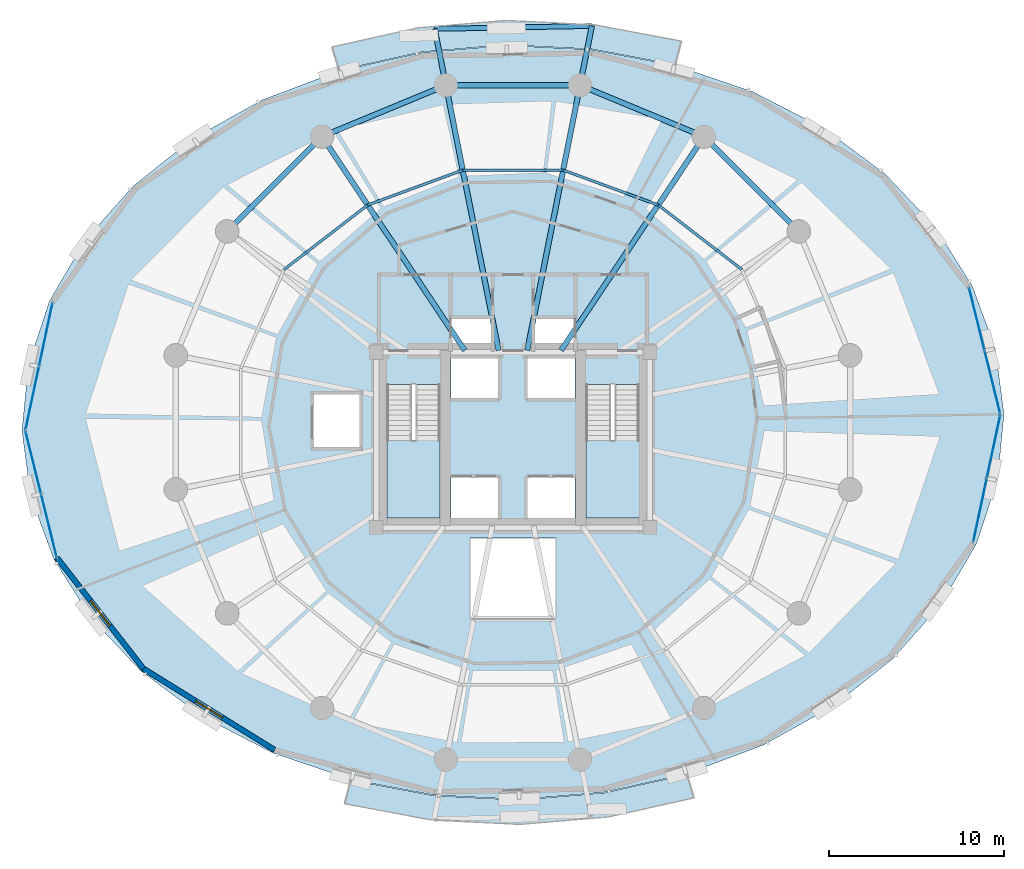
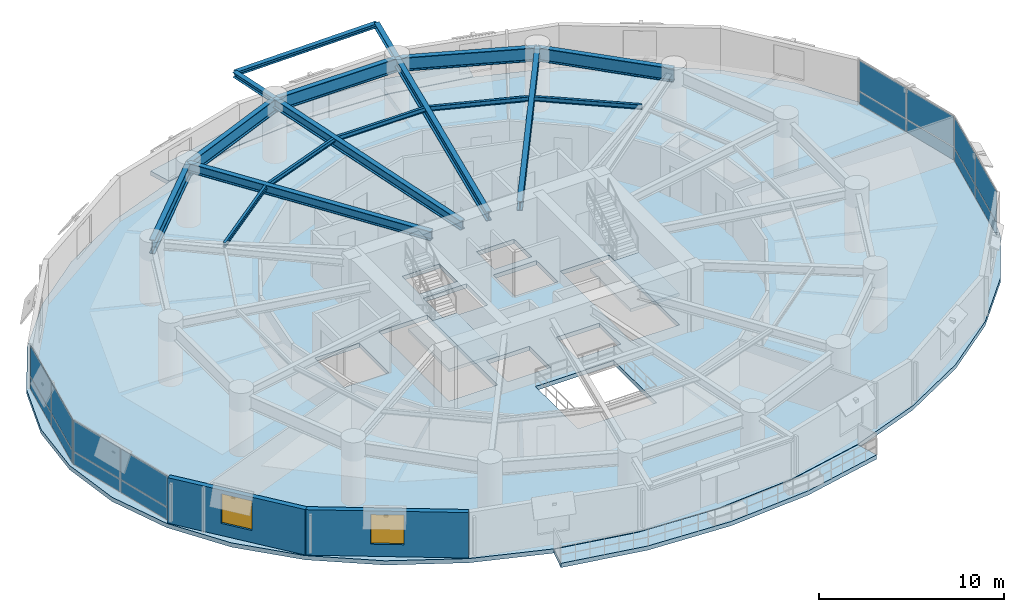
# One storey, part 11 of 17: 17 beams, 16 plates, 5 slabs, 2 walls, 2 windows, 2 openings, 6 elements without a shape of their own.
"""IFC4 building model written with IfcOpenShell, lengths in metres."""

from ifc_helpers import new_model, si_unit, direction, frame, frame_2d, origin, origin_2d, place, context, subcontext, project, spatial, polyline, rectangle, i_section, outline, extrude, material, layer, layer_set, material_profile, profile_set, type_object, element, fill, aggregate, save


model = new_model("IFC4")

# Units and contexts
model_context = context("Model", 3, precision=1e-05, world=origin(), true_north=direction((0.0, 1.0)))
body_context = subcontext(model_context, "Body", "Model", "MODEL_VIEW")
ifc_project = project(units=[si_unit("LENGTHUNIT", "METRE"), si_unit("AREAUNIT", "SQUARE_METRE"), si_unit("VOLUMEUNIT", "CUBIC_METRE"), si_unit("PLANEANGLEUNIT", "RADIAN"), si_unit("MASSUNIT", "GRAM", prefix="KILO"), si_unit("THERMODYNAMICTEMPERATUREUNIT", "KELVIN"), si_unit("POWERUNIT", "WATT")], contexts=[model_context])

# Site, building, storey
site_placement = place(None, origin())
site = spatial("IfcSite", under=ifc_project, at=site_placement, CompositionType="ELEMENT")
building_placement = place(site_placement, origin())
building = spatial("IfcBuilding", under=site, at=building_placement, Name="Ocrelia Relay Tower", CompositionType="ELEMENT")
storey_placement = place(building_placement, frame((0.0, 0.0, 34.199951171875)))
storey = spatial("IfcBuildingStorey", under=building, at=storey_placement, Name="L07", CompositionType="ELEMENT", Elevation=34.199951171875)

# Beams
ifc_material_1 = material(Name="Steel S355", Category="steel")
ifc_material_profile_1 = material_profile(ifc_material_1, i_section(OverallWidth=0.280029296875, OverallDepth=0.27001953125, WebThickness=0.008056640625, FlangeThickness=0.012939453125, FilletRadius=0.02392578125, at=origin_2d()), Name="HEA 280")
ifc_profile_set_1 = profile_set([ifc_material_profile_1], Name="Steel S355")
beam_type_1 = type_object("IfcBeamType", Name="BM-HEA280", PredefinedType="BEAM", material=ifc_profile_set_1)
beam_1_placement = place(storey_placement, frame((38.496337890625, 48.60400390625, 3.78515625), z_axis=(-0.999828370784, -0.018526439919, 0.0), x_axis=(0.018526439919, -0.999828370784, 0.0)))
element("IfcBeam", 1, at=beam_1_placement, inside=storey, type_object=beam_type_1, Name="L08 Balcony Edge Trimmer Beam B1", PredefinedType="BEAM", context=body_context, shape_type="SweptSolid", body=[
    extrude(i_section(OverallWidth=0.280029296875, OverallDepth=0.27001953125, WebThickness=0.008056640625, FlangeThickness=0.012939453125, FilletRadius=0.02392578125, at=origin_2d()), origin(), (0.0, 0.0, 1.0), 8.9609375),
])
ifc_material_profile_2 = material_profile(ifc_material_1, i_section(OverallWidth=0.300048828125, OverallDepth=0.330078125, WebThickness=0.009521484375, FlangeThickness=0.0166015625, FilletRadius=0.027099609375, at=origin_2d()), Name="HEA 340")
ifc_profile_set_2 = profile_set([ifc_material_profile_2], Name="Steel S355")
beam_type_2 = type_object("IfcBeamType", Name="BM-HEA340", PredefinedType="BEAM", material=ifc_profile_set_2)
beam_2_placement = place(storey_placement, frame((37.82373046875, 45.223388671875, 3.755126953125), z_axis=(0.195135320657, 0.980776328544, 0.0), x_axis=(-0.980776328544, 0.195135320657, 0.0)))
element("IfcBeam", 2, at=beam_2_placement, inside=storey, type_object=beam_type_2, Name="L08 Balcony Cantilever Beam B1-1", PredefinedType="BEAM", context=body_context, shape_type="SweptSolid", body=[
    extrude(i_section(OverallWidth=0.300048828125, OverallDepth=0.330078125, WebThickness=0.009521484375, FlangeThickness=0.0166015625, FilletRadius=0.027099609375, at=origin_2d()), origin(), (0.0, 0.0, 1.0), 3.44677734375),
])
beam_3_placement = place(storey_placement, frame((30.17626953125, 45.223388671875, 3.755126953125), z_axis=(-0.195084651288, 0.980786408364, 0.0), x_axis=(-0.980786408364, -0.195084651288, 0.0)))
element("IfcBeam", 3, at=beam_3_placement, inside=storey, type_object=beam_type_2, Name="L08 Balcony Cantilever Beam B1-2", PredefinedType="BEAM", context=body_context, shape_type="SweptSolid", body=[
    extrude(i_section(OverallWidth=0.300048828125, OverallDepth=0.330078125, WebThickness=0.009521484375, FlangeThickness=0.0166015625, FilletRadius=0.027099609375, at=origin_2d()), origin(), (0.0, 0.0, 1.0), 3.277587890625),
])
ifc_material_profile_3 = material_profile(ifc_material_1, i_section(OverallWidth=0.300048828125, OverallDepth=0.60009765625, WebThickness=0.015380859375, FlangeThickness=0.030029296875, FilletRadius=0.027099609375, at=origin_2d()), Name="HEB 600")
ifc_profile_set_3 = profile_set([ifc_material_profile_3], Name="Steel S355")
beam_type_3 = type_object("IfcBeamType", Name="BM-HEB600", PredefinedType="BEAM", material=ifc_profile_set_3)
beam_4_placement = place(storey_placement, frame((44.88916015625, 42.296875, 3.6201171875), z_axis=(-0.555564422059, -0.831473495033, 0.0), x_axis=(0.831473495033, -0.555564422059, 0.0)))
element("IfcBeam", 4, at=beam_4_placement, inside=storey, type_object=beam_type_3, Name="L07 Radial Floor Girder R03", PredefinedType="BEAM", context=body_context, shape_type="SweptSolid", body=[
    extrude(i_section(OverallWidth=0.300048828125, OverallDepth=0.60009765625, WebThickness=0.015380859375, FlangeThickness=0.030029296875, FilletRadius=0.027099609375, at=origin_2d()), origin(), (0.0, 0.0, 1.0), 14.6630859375),
])
for number, where, z_axis, x_axis, name in (
    (5, (37.82373046875, 45.223388671875, 3.6201171875), (-0.19509567956, -0.980784214706, 0.0), (0.980784214706, -0.19509567956, 0.0), "L07 Radial Floor Girder R04"),
    (6, (30.17626953125, 45.223388671875, 3.6201171875), (0.19509567956, -0.980784214706, 0.0), (0.980784214706, 0.19509567956, 0.0), "L07 Radial Floor Girder R05"),
):
    element("IfcBeam", number, at=place(storey_placement, frame(where, z_axis=z_axis, x_axis=x_axis)), inside=storey, type_object=beam_type_3, Name=name, PredefinedType="BEAM", context=body_context, shape_type="SweptSolid", body=[
        extrude(i_section(OverallWidth=0.300048828125, OverallDepth=0.60009765625, WebThickness=0.015380859375, FlangeThickness=0.030029296875, FilletRadius=0.027099609375, at=origin_2d()), origin(), (0.0, 0.0, 1.0), 15.41455078125),
    ])
beam_5_placement = place(storey_placement, frame((23.11083984375, 42.296875, 3.6201171875), z_axis=(0.555564422059, -0.831473495033, 0.0), x_axis=(0.831473495033, 0.555564422059, 0.0)))
element("IfcBeam", 7, at=beam_5_placement, inside=storey, type_object=beam_type_3, Name="L07 Radial Floor Girder R06", PredefinedType="BEAM", context=body_context, shape_type="SweptSolid", body=[
    extrude(i_section(OverallWidth=0.300048828125, OverallDepth=0.60009765625, WebThickness=0.015380859375, FlangeThickness=0.030029296875, FilletRadius=0.027099609375, at=origin_2d()), origin(), (0.0, 0.0, 1.0), 14.6630859375),
])
ifc_material_profile_4 = material_profile(ifc_material_1, i_section(OverallWidth=0.300048828125, OverallDepth=0.89990234375, WebThickness=0.0185546875, FlangeThickness=0.034912109375, FilletRadius=0.030029296875, at=origin_2d()), Name="HEB 900")
ifc_profile_set_4 = profile_set([ifc_material_profile_4], Name="Steel S355")
beam_type_4 = type_object("IfcBeamType", Name="BM-HEB900", PredefinedType="BEAM", material=ifc_profile_set_4)
beam_6_placement = place(storey_placement, frame((50.296875, 36.88916015625, 3.469970703125), z_axis=(-0.707106781187, 0.707106781187, 0.0), x_axis=(-0.707106781187, -0.707106781187, 0.0)))
element("IfcBeam", 8, at=beam_6_placement, inside=storey, type_object=beam_type_4, Name="L07 Perimeter Spandrel Beam S02", PredefinedType="BEAM", context=body_context, shape_type="SweptSolid", body=[
    extrude(i_section(OverallWidth=0.300048828125, OverallDepth=0.89990234375, WebThickness=0.0185546875, FlangeThickness=0.034912109375, FilletRadius=0.030029296875, at=origin_2d()), origin(), (0.0, 0.0, 1.0), 7.647705078125),
])
for number, where, z_axis, x_axis, name in (
    (9, (44.88916015625, 42.296875, 3.469970703125), (-0.923883375589, 0.382674154222, 0.0), (-0.382674154222, -0.923883375589, 0.0), "L07 Perimeter Spandrel Beam S03"),
    (10, (37.82373046875, 45.223388671875, 3.469970703125), (-1.0, 0.0, 0.0), (0.0, -1.0, 0.0), "L07 Perimeter Spandrel Beam S04"),
    (11, (30.17626953125, 45.223388671875, 3.469970703125), (-0.923883375589, -0.382674154222, 0.0), (0.382674154222, -0.923883375589, 0.0), "L07 Perimeter Spandrel Beam S05"),
):
    element("IfcBeam", number, at=place(storey_placement, frame(where, z_axis=z_axis, x_axis=x_axis)), inside=storey, type_object=beam_type_4, Name=name, PredefinedType="BEAM", context=body_context, shape_type="SweptSolid", body=[
        extrude(i_section(OverallWidth=0.300048828125, OverallDepth=0.89990234375, WebThickness=0.0185546875, FlangeThickness=0.034912109375, FilletRadius=0.030029296875, at=origin_2d()), origin(), (0.0, 0.0, 1.0), 7.6474609375),
    ])
beam_7_placement = place(storey_placement, frame((23.11083984375, 42.296875, 3.469970703125), z_axis=(-0.707106781187, -0.707106781187, 0.0), x_axis=(0.707106781187, -0.707106781187, 0.0)))
element("IfcBeam", 12, at=beam_7_placement, inside=storey, type_object=beam_type_4, Name="L07 Perimeter Spandrel Beam S06", PredefinedType="BEAM", context=body_context, shape_type="SweptSolid", body=[
    extrude(i_section(OverallWidth=0.300048828125, OverallDepth=0.89990234375, WebThickness=0.0185546875, FlangeThickness=0.034912109375, FilletRadius=0.030029296875, at=origin_2d()), origin(), (0.0, 0.0, 1.0), 7.647705078125),
])
ifc_material_profile_5 = material_profile(ifc_material_1, i_section(OverallWidth=0.14990234375, OverallDepth=0.300048828125, WebThickness=0.007080078125, FlangeThickness=0.0107421875, FilletRadius=0.014892578125, at=origin_2d()), Name="IPE 300")
ifc_profile_set_5 = profile_set([ifc_material_profile_5], Name="Steel S355")
beam_type_5 = type_object("IfcBeamType", Name="BM-IPE300", PredefinedType="JOIST", material=ifc_profile_set_5)
beam_8_placement = place(storey_placement, frame((47.0478515625, 34.71826171875, 3.77001953125), z_axis=(-0.791694256239, 0.610917510502, 0.0), x_axis=(-0.610917510502, -0.791694256239, 0.0)))
element("IfcBeam", 13, at=beam_8_placement, inside=storey, type_object=beam_type_5, Name="L07 Secondary Floor Joist J02", PredefinedType="JOIST", context=body_context, shape_type="SweptSolid", body=[
    extrude(i_section(OverallWidth=0.14990234375, OverallDepth=0.300048828125, WebThickness=0.007080078125, FlangeThickness=0.0107421875, FilletRadius=0.014892578125, at=origin_2d()), origin(), (0.0, 0.0, 1.0), 6.019287109375),
])
beam_9_placement = place(storey_placement, frame((42.282470703125, 38.3955078125, 3.77001953125), z_axis=(-0.938745977034, 0.344609910773, 0.0), x_axis=(-0.344609910773, -0.938745977034, 0.0)))
element("IfcBeam", 14, at=beam_9_placement, inside=storey, type_object=beam_type_5, Name="L07 Secondary Floor Joist J03", PredefinedType="JOIST", context=body_context, shape_type="SweptSolid", body=[
    extrude(i_section(OverallWidth=0.14990234375, OverallDepth=0.300048828125, WebThickness=0.007080078125, FlangeThickness=0.0107421875, FilletRadius=0.014892578125, at=origin_2d()), origin(), (0.0, 0.0, 1.0), 5.774658203125),
])
beam_10_placement = place(storey_placement, frame((36.861572265625, 40.385498046875, 3.77001953125), z_axis=(-1.0, 0.0, 0.0), x_axis=(0.0, -1.0, 0.0)))
element("IfcBeam", 15, at=beam_10_placement, inside=storey, type_object=beam_type_5, Name="L07 Secondary Floor Joist J04", PredefinedType="JOIST", context=body_context, shape_type="SweptSolid", body=[
    extrude(i_section(OverallWidth=0.14990234375, OverallDepth=0.300048828125, WebThickness=0.007080078125, FlangeThickness=0.0107421875, FilletRadius=0.014892578125, at=origin_2d()), origin(), (0.0, 0.0, 1.0), 5.72314453125),
])
beam_11_placement = place(storey_placement, frame((31.138427734375, 40.385498046875, 3.77001953125), z_axis=(-0.938745977034, -0.344609910773, 0.0), x_axis=(0.344609910773, -0.938745977034, 0.0)))
element("IfcBeam", 16, at=beam_11_placement, inside=storey, type_object=beam_type_5, Name="L07 Secondary Floor Joist J05", PredefinedType="JOIST", context=body_context, shape_type="SweptSolid", body=[
    extrude(i_section(OverallWidth=0.14990234375, OverallDepth=0.300048828125, WebThickness=0.007080078125, FlangeThickness=0.0107421875, FilletRadius=0.014892578125, at=origin_2d()), origin(), (0.0, 0.0, 1.0), 5.774658203125),
])
beam_12_placement = place(storey_placement, frame((25.717529296875, 38.3955078125, 3.77001953125), z_axis=(-0.791694256239, -0.610917510502, 0.0), x_axis=(0.610917510502, -0.791694256239, 0.0)))
element("IfcBeam", 17, at=beam_12_placement, inside=storey, type_object=beam_type_5, Name="L07 Secondary Floor Joist J06", PredefinedType="JOIST", context=body_context, shape_type="SweptSolid", body=[
    extrude(i_section(OverallWidth=0.14990234375, OverallDepth=0.300048828125, WebThickness=0.007080078125, FlangeThickness=0.0107421875, FilletRadius=0.014892578125, at=origin_2d()), origin(), (0.0, 0.0, 1.0), 6.019287109375),
])

# Curtain wall, plates
ifc_material_2 = material(Name="Aluminium and solar-control low-E glass", Category="aluminium")
ifc_layer_1 = layer(ifc_material_2, 0.179931640625, Name="Aluminium and solar-control low-E glass")
ifc_layer_set_1 = layer_set([ifc_layer_1], Name="Aluminium and solar-control low-E glass")
curtain_wall_type = type_object("IfcCurtainWallType", Name="CW-SYS-Z1-DATA", PredefinedType="NOTDEFINED", material=ifc_layer_set_1)
curtain_wall_1_placement = place(storey_placement, origin())
curtain_wall_1 = element("IfcCurtainWall", 18, at=curtain_wall_1_placement, inside=storey, type_object=curtain_wall_type, Name="L07 Elliptical Tower Curtain Wall Bay 01", PredefinedType="NOTDEFINED")
ifc_material_3 = material(Name="Clear double-glazed low-E glass", Category="glass")
ifc_layer_2 = layer(ifc_material_3, 0.031982421875, Name="Clear double-glazed low-E glass")
ifc_layer_set_2 = layer_set([ifc_layer_2], Name="Clear double-glazed low-E glass")
plate_type = type_object("IfcPlateType", Name="CW-SYS-Z1-DATA-PNL", PredefinedType="CURTAIN_PANEL", material=ifc_layer_set_2)
plate_1_placement = place(storey_placement, frame((61.3427734375, 28.2919921875, 0.06494140625), z_axis=(0.0, 0.0, 1.0), x_axis=(-0.240397865841, 0.970674438779, 0.0)))
plate_1 = element("IfcPlate", 19, at=plate_1_placement, type_object=plate_type, Name="CW-Z1 panel 1.1", PredefinedType="CURTAIN_PANEL", context=body_context, shape_type="SweptSolid", body=[
    extrude(rectangle(XDim=3.6328125, YDim=0.031982421875, at=origin_2d()), origin(), (0.0, 0.0, 1.0), 0.802490234375),
])
plate_2_placement = place(storey_placement, frame((61.3427734375, 28.2919921875, 0.9326171875), z_axis=(0.0, 0.0, 1.0), x_axis=(-0.240397865841, 0.970674438779, 0.0)))
plate_2 = element("IfcPlate", 20, at=plate_2_placement, type_object=plate_type, Name="CW-Z1 panel 1.2", PredefinedType="CURTAIN_PANEL", context=body_context, shape_type="SweptSolid", body=[
    extrude(rectangle(XDim=3.6328125, YDim=0.031982421875, at=origin_2d()), origin(), (0.0, 0.0, 1.0), 2.00244140625),
])
plate_3_placement = place(storey_placement, frame((60.45263671875, 31.88623046875, 0.06494140625), z_axis=(0.0, 0.0, 1.0), x_axis=(-0.240397865841, 0.970674438779, 0.0)))
plate_3 = element("IfcPlate", 21, at=plate_3_placement, type_object=plate_type, Name="CW-Z1 panel 2.1", PredefinedType="CURTAIN_PANEL", context=body_context, shape_type="SweptSolid", body=[
    extrude(rectangle(XDim=3.6328125, YDim=0.031982421875, at=origin_2d()), origin(), (0.0, 0.0, 1.0), 0.802490234375),
])
plate_4_placement = place(storey_placement, frame((60.45263671875, 31.88623046875, 0.9326171875), z_axis=(0.0, 0.0, 1.0), x_axis=(-0.240397865841, 0.970674438779, 0.0)))
plate_4 = element("IfcPlate", 22, at=plate_4_placement, type_object=plate_type, Name="CW-Z1 panel 2.2", PredefinedType="CURTAIN_PANEL", context=body_context, shape_type="SweptSolid", body=[
    extrude(rectangle(XDim=3.6328125, YDim=0.031982421875, at=origin_2d()), origin(), (0.0, 0.0, 1.0), 2.00244140625),
])
aggregate(curtain_wall_1, [plate_1, plate_2, plate_3, plate_4])

curtain_wall_2_placement = place(storey_placement, origin())
curtain_wall_2 = element("IfcCurtainWall", 23, at=curtain_wall_2_placement, inside=storey, type_object=curtain_wall_type, Name="L07 Elliptical Tower Curtain Wall Bay 09", PredefinedType="NOTDEFINED")
plate_5_placement = place(storey_placement, frame((7.366943359375, 31.005859375, 0.06494140625), z_axis=(0.0, 0.0, 1.0), x_axis=(-0.208094574378, -0.978108709763, 0.0)))
plate_5 = element("IfcPlate", 24, at=plate_5_placement, type_object=plate_type, Name="CW-Z1 panel 1.1", PredefinedType="CURTAIN_PANEL", context=body_context, shape_type="SweptSolid", body=[
    extrude(rectangle(XDim=3.6328125, YDim=0.031982421875, at=origin_2d()), origin(), (0.0, 0.0, 1.0), 0.802490234375),
])
plate_6_placement = place(storey_placement, frame((7.366943359375, 31.005859375, 0.9326171875), z_axis=(0.0, 0.0, 1.0), x_axis=(-0.208094574378, -0.978108709763, 0.0)))
plate_6 = element("IfcPlate", 25, at=plate_6_placement, type_object=plate_type, Name="CW-Z1 panel 1.2", PredefinedType="CURTAIN_PANEL", context=body_context, shape_type="SweptSolid", body=[
    extrude(rectangle(XDim=3.6328125, YDim=0.031982421875, at=origin_2d()), origin(), (0.0, 0.0, 1.0), 2.00244140625),
])
plate_7_placement = place(storey_placement, frame((6.596435546875, 27.38427734375, 0.06494140625), z_axis=(0.0, 0.0, 1.0), x_axis=(-0.208094574378, -0.978108709763, 0.0)))
plate_7 = element("IfcPlate", 26, at=plate_7_placement, type_object=plate_type, Name="CW-Z1 panel 2.1", PredefinedType="CURTAIN_PANEL", context=body_context, shape_type="SweptSolid", body=[
    extrude(rectangle(XDim=3.6328125, YDim=0.031982421875, at=origin_2d()), origin(), (0.0, 0.0, 1.0), 0.802490234375),
])
plate_8_placement = place(storey_placement, frame((6.596435546875, 27.38427734375, 0.9326171875), z_axis=(0.0, 0.0, 1.0), x_axis=(-0.208094574378, -0.978108709763, 0.0)))
plate_8 = element("IfcPlate", 27, at=plate_8_placement, type_object=plate_type, Name="CW-Z1 panel 2.2", PredefinedType="CURTAIN_PANEL", context=body_context, shape_type="SweptSolid", body=[
    extrude(rectangle(XDim=3.6328125, YDim=0.031982421875, at=origin_2d()), origin(), (0.0, 0.0, 1.0), 2.00244140625),
])
aggregate(curtain_wall_2, [plate_5, plate_6, plate_7, plate_8])

curtain_wall_3_placement = place(storey_placement, origin())
curtain_wall_3 = element("IfcCurtainWall", 28, at=curtain_wall_3_placement, inside=storey, type_object=curtain_wall_type, Name="L07 Elliptical Tower Curtain Wall Bay 10", PredefinedType="NOTDEFINED")
plate_9_placement = place(storey_placement, frame((6.6572265625, 23.7080078125, 0.06494140625), z_axis=(0.0, 0.0, 1.0), x_axis=(0.240397865841, -0.970674438779, 0.0)))
plate_9 = element("IfcPlate", 29, at=plate_9_placement, type_object=plate_type, Name="CW-Z1 panel 1.1", PredefinedType="CURTAIN_PANEL", context=body_context, shape_type="SweptSolid", body=[
    extrude(rectangle(XDim=3.6328125, YDim=0.031982421875, at=origin_2d()), origin(), (0.0, 0.0, 1.0), 0.802490234375),
])
plate_10_placement = place(storey_placement, frame((6.6572265625, 23.7080078125, 0.9326171875), z_axis=(0.0, 0.0, 1.0), x_axis=(0.240397865841, -0.970674438779, 0.0)))
plate_10 = element("IfcPlate", 30, at=plate_10_placement, type_object=plate_type, Name="CW-Z1 panel 1.2", PredefinedType="CURTAIN_PANEL", context=body_context, shape_type="SweptSolid", body=[
    extrude(rectangle(XDim=3.6328125, YDim=0.031982421875, at=origin_2d()), origin(), (0.0, 0.0, 1.0), 2.00244140625),
])
plate_11_placement = place(storey_placement, frame((7.54736328125, 20.11376953125, 0.06494140625), z_axis=(0.0, 0.0, 1.0), x_axis=(0.240397865841, -0.970674438779, 0.0)))
plate_11 = element("IfcPlate", 31, at=plate_11_placement, type_object=plate_type, Name="CW-Z1 panel 2.1", PredefinedType="CURTAIN_PANEL", context=body_context, shape_type="SweptSolid", body=[
    extrude(rectangle(XDim=3.6328125, YDim=0.031982421875, at=origin_2d()), origin(), (0.0, 0.0, 1.0), 0.802490234375),
])
plate_12_placement = place(storey_placement, frame((7.54736328125, 20.11376953125, 0.9326171875), z_axis=(0.0, 0.0, 1.0), x_axis=(0.240397865841, -0.970674438779, 0.0)))
plate_12 = element("IfcPlate", 32, at=plate_12_placement, type_object=plate_type, Name="CW-Z1 panel 2.2", PredefinedType="CURTAIN_PANEL", context=body_context, shape_type="SweptSolid", body=[
    extrude(rectangle(XDim=3.6328125, YDim=0.031982421875, at=origin_2d()), origin(), (0.0, 0.0, 1.0), 2.00244140625),
])
aggregate(curtain_wall_3, [plate_9, plate_10, plate_11, plate_12])

curtain_wall_4_placement = place(storey_placement, origin())
curtain_wall_4 = element("IfcCurtainWall", 33, at=curtain_wall_4_placement, inside=storey, type_object=curtain_wall_type, Name="L07 Elliptical Tower Curtain Wall Bay 18", PredefinedType="NOTDEFINED")
plate_13_placement = place(storey_placement, frame((60.633056640625, 20.994140625, 0.06494140625), z_axis=(0.0, 0.0, 1.0), x_axis=(0.208094574378, 0.978108709763, 0.0)))
plate_13 = element("IfcPlate", 34, at=plate_13_placement, type_object=plate_type, Name="CW-Z1 panel 1.1", PredefinedType="CURTAIN_PANEL", context=body_context, shape_type="SweptSolid", body=[
    extrude(rectangle(XDim=3.6328125, YDim=0.031982421875, at=origin_2d()), origin(), (0.0, 0.0, 1.0), 0.802490234375),
])
plate_14_placement = place(storey_placement, frame((60.633056640625, 20.994140625, 0.9326171875), z_axis=(0.0, 0.0, 1.0), x_axis=(0.208094574378, 0.978108709763, 0.0)))
plate_14 = element("IfcPlate", 35, at=plate_14_placement, type_object=plate_type, Name="CW-Z1 panel 1.2", PredefinedType="CURTAIN_PANEL", context=body_context, shape_type="SweptSolid", body=[
    extrude(rectangle(XDim=3.6328125, YDim=0.031982421875, at=origin_2d()), origin(), (0.0, 0.0, 1.0), 2.00244140625),
])
plate_15_placement = place(storey_placement, frame((61.403564453125, 24.61572265625, 0.06494140625), z_axis=(0.0, 0.0, 1.0), x_axis=(0.208094574378, 0.978108709763, 0.0)))
plate_15 = element("IfcPlate", 36, at=plate_15_placement, type_object=plate_type, Name="CW-Z1 panel 2.1", PredefinedType="CURTAIN_PANEL", context=body_context, shape_type="SweptSolid", body=[
    extrude(rectangle(XDim=3.6328125, YDim=0.031982421875, at=origin_2d()), origin(), (0.0, 0.0, 1.0), 0.802490234375),
])
plate_16_placement = place(storey_placement, frame((61.403564453125, 24.61572265625, 0.9326171875), z_axis=(0.0, 0.0, 1.0), x_axis=(0.208094574378, 0.978108709763, 0.0)))
plate_16 = element("IfcPlate", 37, at=plate_16_placement, type_object=plate_type, Name="CW-Z1 panel 2.2", PredefinedType="CURTAIN_PANEL", context=body_context, shape_type="SweptSolid", body=[
    extrude(rectangle(XDim=3.6328125, YDim=0.031982421875, at=origin_2d()), origin(), (0.0, 0.0, 1.0), 2.00244140625),
])
aggregate(curtain_wall_4, [plate_13, plate_14, plate_15, plate_16])

# Slabs
ifc_material_4 = material(Name="Precast concrete C40/50", Category="concrete")
ifc_layer_3 = layer(ifc_material_4, 0.280029296875, Name="Precast concrete C40/50")
ifc_layer_set_3 = layer_set([ifc_layer_3], Name="Precast concrete C40/50")
slab_type_1 = type_object("IfcSlabType", Name="SL-BALC-280", PredefinedType="FLOOR", material=ifc_layer_set_3)
slab_1_placement = place(storey_placement, frame((0.0, 0.0, -0.280029296875)))
element("IfcSlab", 38, at=slab_1_placement, inside=storey, type_object=slab_type_1, Name="L07 Planted Loggia Balcony B1", PredefinedType="FLOOR", context=body_context, shape_type="SweptSolid", body=[
    extrude(outline(polyline([(43.247802734375, 46.388427734375), (40.880859375, 46.834716796875), (38.513916015625, 47.281005859375), (33.64306640625, 47.527099609375), (28.782958984375, 47.119384765625), (26.43212890625, 46.59521484375), (24.081298828125, 46.070556640625), (23.682861328125, 47.406005859375), (26.127685546875, 47.951416015625), (28.572509765625, 48.496826171875), (33.619873046875, 48.919921875), (38.678466796875, 48.664306640625), (41.14013671875, 48.200439453125), (43.601806640625, 47.736328125), (43.247802734375, 46.388427734375)])), origin(), (0.0, 0.0, 1.0), 0.280029296875),
])
slab_2_placement = place(storey_placement, frame((0.0, 0.0, -0.280029296875)))
element("IfcSlab", 39, at=slab_2_placement, inside=storey, type_object=slab_type_1, Name="L07 Planted Loggia Balcony B2", PredefinedType="FLOOR", context=body_context, shape_type="SweptSolid", body=[
    extrude(outline(polyline([(24.752197265625, 5.611572265625), (27.119140625, 5.165283203125), (29.486083984375, 4.718994140625), (34.35693359375, 4.472900390625), (39.217041015625, 4.880615234375), (41.56787109375, 5.40478515625), (43.918701171875, 5.929443359375), (44.317138671875, 4.593994140625), (41.872314453125, 4.048583984375), (39.427490234375, 3.503173828125), (34.380126953125, 3.080078125), (29.321533203125, 3.335693359375), (26.85986328125, 3.799560546875), (24.398193359375, 4.263671875), (24.752197265625, 5.611572265625)])), origin(), (0.0, 0.0, 1.0), 0.280029296875),
])
ifc_material_5 = material(Name="Concrete C50/60", Category="concrete")
ifc_layer_4 = layer(ifc_material_5, 0.280029296875, Name="Concrete C50/60")
ifc_layer_set_4 = layer_set([ifc_layer_4], Name="Concrete C50/60")
slab_type_2 = type_object("IfcSlabType", Name="SL-FLR-280", PredefinedType="FLOOR", material=ifc_layer_set_4)
slab_3_placement = place(storey_placement, frame((0.0, 0.0, -0.280029296875)))
element("IfcSlab", 40, at=slab_3_placement, inside=storey, type_object=slab_type_2, Name="L07 Elliptical Tower Floor Slab", PredefinedType="FLOOR", context=body_context, shape_type="SweptSolid", body=[
    extrude(outline(polyline([(61.99609375, 26.464111328125), (61.5087890625, 30.190185546875), (60.185791015625, 33.788818359375), (58.067138671875, 37.150634765625), (55.21728515625, 40.173583984375), (51.722412109375, 42.76611328125), (47.689453125, 44.84912109375), (43.240234375, 46.359375), (38.510498046875, 47.251220703125), (33.6435546875, 47.4970703125), (28.78759765625, 47.08984375), (24.08984375, 46.041748046875), (19.693115234375, 44.385009765625), (15.7314453125, 42.169189453125), (12.32470703125, 39.46240234375), (9.576416015625, 36.346435546875), (7.5703125, 32.916259765625), (6.3671875, 29.275634765625), (6.00390625, 25.535888671875), (6.4912109375, 21.809814453125), (7.814208984375, 18.211181640625), (9.932861328125, 14.849365234375), (12.78271484375, 11.826416015625), (16.277587890625, 9.23388671875), (20.310546875, 7.15087890625), (24.759765625, 5.640625), (29.489501953125, 4.748779296875), (34.3564453125, 4.5029296875), (39.21240234375, 4.91015625), (43.91015625, 5.958251953125), (48.306884765625, 7.614990234375), (52.2685546875, 9.830810546875), (55.67529296875, 12.53759765625), (58.423583984375, 15.653564453125), (60.4296875, 19.083740234375), (61.6328125, 22.724365234375), (61.99609375, 26.464111328125)]), holes=[polyline([(26.81005859375, 28.14990234375), (26.81005859375, 20.550048828125), (29.85009765625, 20.550048828125), (29.85009765625, 28.14990234375), (26.81005859375, 28.14990234375)]), polyline([(38.159912109375, 28.14990234375), (38.159912109375, 20.550048828125), (41.199951171875, 20.550048828125), (41.199951171875, 28.14990234375), (38.159912109375, 28.14990234375)]), polyline([(30.4599609375, 20.550048828125), (33.159912109375, 20.550048828125), (33.159912109375, 22.85009765625), (30.4599609375, 22.85009765625), (30.4599609375, 20.550048828125)]), polyline([(34.840087890625, 20.550048828125), (37.5400390625, 20.550048828125), (37.5400390625, 22.85009765625), (34.840087890625, 22.85009765625), (34.840087890625, 20.550048828125)]), polyline([(30.4599609375, 27.35009765625), (33.159912109375, 27.35009765625), (33.159912109375, 29.64990234375), (30.4599609375, 29.64990234375), (30.4599609375, 27.35009765625)]), polyline([(34.840087890625, 27.35009765625), (37.5400390625, 27.35009765625), (37.5400390625, 29.64990234375), (34.840087890625, 29.64990234375), (34.840087890625, 27.35009765625)]), polyline([(30.5, 30.10009765625), (32.85009765625, 30.10009765625), (32.85009765625, 32.0), (30.5, 32.0), (30.5, 30.10009765625)]), polyline([(35.14990234375, 30.10009765625), (37.5, 30.10009765625), (37.5, 32.0), (35.14990234375, 32.0), (35.14990234375, 30.10009765625)]), polyline([(22.550048828125, 24.5), (25.35009765625, 24.5), (25.35009765625, 27.699951171875), (22.550048828125, 27.699951171875), (22.550048828125, 24.5)]), polyline([(31.550048828125, 14.800048828125), (36.449951171875, 14.800048828125), (36.449951171875, 19.39990234375), (31.550048828125, 19.39990234375), (31.550048828125, 14.800048828125)])]), origin(), (0.0, 0.0, 1.0), 0.280029296875),
])

# Stair, slab
stair_type = type_object("IfcStairType", Name="ST-DL-1420-R175", PredefinedType="HALF_TURN_STAIR", material=ifc_material_5)
stair_1_placement = place(storey_placement, origin())
stair_1 = element("IfcStair", 41, at=stair_1_placement, inside=storey, type_object=stair_type, Name="L07 West Core Exit Stair ST1", PredefinedType="HALF_TURN_STAIR")
ifc_layer_5 = layer(ifc_material_5, 0.199951171875, Name="Concrete C50/60")
ifc_layer_set_5 = layer_set([ifc_layer_5], Name="Concrete C50/60")
slab_type_3 = type_object("IfcSlabType", Name="SL-LANDING-200", PredefinedType="LANDING", material=ifc_layer_set_5)
slab_4_placement = place(storey_placement, frame((0.0, 0.0, 1.900146484375)))
slab_4 = element("IfcSlab", 42, at=slab_4_placement, type_object=slab_type_3, Name="ST1 landing 1", PredefinedType="LANDING", context=body_context, shape_type="SweptSolid", body=[
    extrude(outline(polyline([(26.81005859375, 24.9599609375), (26.81005859375, 20.550048828125), (29.85009765625, 20.550048828125), (29.85009765625, 24.9599609375), (26.81005859375, 24.9599609375)])), origin(), (0.0, 0.0, 1.0), 0.199951171875),
])
aggregate(stair_1, [slab_4])

stair_2_placement = place(storey_placement, origin())
stair_2 = element("IfcStair", 43, at=stair_2_placement, inside=storey, type_object=stair_type, Name="L07 East Core Exit Stair ST2", PredefinedType="HALF_TURN_STAIR")
slab_5_placement = place(storey_placement, frame((0.0, 0.0, 1.900146484375)))
slab_5 = element("IfcSlab", 44, at=slab_5_placement, type_object=slab_type_3, Name="ST2 landing 1", PredefinedType="LANDING", context=body_context, shape_type="SweptSolid", body=[
    extrude(outline(polyline([(38.159912109375, 24.9599609375), (38.159912109375, 20.550048828125), (41.199951171875, 20.550048828125), (41.199951171875, 24.9599609375), (38.159912109375, 24.9599609375)])), origin(), (0.0, 0.0, 1.0), 0.199951171875),
])
aggregate(stair_2, [slab_5])

# Wall, opening, window
ifc_material_6 = material(Name="Precast concrete C40/50 with oxide terracotta", Category="masonry")
ifc_layer_6 = layer(ifc_material_6, 0.300048828125, Name="Precast concrete C40/50 with oxide terracotta")
ifc_layer_set_6 = layer_set([ifc_layer_6], Name="Precast concrete C40/50 with oxide terracotta")
wall_type = type_object("IfcWallType", Name="W-EXT-TERR-300", PredefinedType="SOLIDWALL", material=ifc_layer_set_6)
wall_1_placement = place(storey_placement, frame((8.0009765625, 18.28271484375, 0.0), z_axis=(0.0, 0.0, 1.0), x_axis=(0.61497048471, -0.788550127091, 0.0)))
wall_1 = element("IfcWall", 45, at=wall_1_placement, inside=storey, type_object=wall_type, Name="L07 Oxide Terracotta Facade Wall 11", PredefinedType="SOLIDWALL", context=body_context, shape_type="SweptSolid", body=[
    extrude(rectangle(XDim=8.021240234375, YDim=0.300048828125, at=frame_2d((4.0107421875, 0.0))), origin(), (0.0, 0.0, 1.0), 3.0),
])
opening_1_placement = place(wall_1_placement, frame((3.111083984375, 0.0, 0.800048828125)))
opening_1 = element("IfcOpeningElement", 46, at=opening_1_placement, cuts=wall_1, Name="Opening W-02", PredefinedType="OPENING", context=body_context, shape_type="SweptSolid", body=[
    extrude(rectangle(XDim=1.800048828125, YDim=1.949951171875, at=frame_2d((0.89990234375, 0.97509765625))), frame((0.0, 0.16015625, 0.0), z_axis=(0.0, -1.0, 0.0), x_axis=(1.0, 0.0, 0.0)), (0.0, 0.0, 1.0), 0.320068359375),
])
window_type = type_object("IfcWindowType", Name="WIN-Z1-1800x2100", PartitioningType="DOUBLE_PANEL_VERTICAL", PredefinedType="WINDOW", material=ifc_material_3)
window_1_placement = place(opening_1_placement, origin())
window_1 = element("IfcWindow", 47, at=window_1_placement, inside=storey, type_object=window_type, Name="L07 Facade Module Window 11", OverallHeight=1.949951171875, OverallWidth=1.800048828125, PartitioningType="SINGLE_PANEL", PredefinedType="WINDOW", context=body_context, shape_type="SweptSolid", body=[
    extrude(rectangle(XDim=1.800048828125, YDim=1.949951171875, at=frame_2d((0.89990234375, 0.97509765625))), frame((0.0, 0.030029296875, 0.0), z_axis=(0.0, -1.0, 0.0), x_axis=(1.0, 0.0, 0.0)), (0.0, 0.0, 1.0), 0.06005859375),
])
fill(opening_1, window_1)

wall_2_placement = place(storey_placement, frame((12.933837890625, 11.95751953125, 0.0), z_axis=(0.0, 0.0, 1.0), x_axis=(0.850002902168, -0.526778004767, 0.0)))
wall_2 = element("IfcWall", 48, at=wall_2_placement, inside=storey, type_object=wall_type, Name="L07 Oxide Terracotta Facade Wall 12", PredefinedType="SOLIDWALL", context=body_context, shape_type="SweptSolid", body=[
    extrude(rectangle(XDim=8.792724609375, YDim=0.300048828125, at=frame_2d((4.396484375, 0.0))), origin(), (0.0, 0.0, 1.0), 3.0),
])
opening_2_placement = place(wall_2_placement, frame((3.49609375, 0.0, 0.800048828125)))
opening_2 = element("IfcOpeningElement", 49, at=opening_2_placement, cuts=wall_2, Name="Opening W-02", PredefinedType="OPENING", context=body_context, shape_type="SweptSolid", body=[
    extrude(rectangle(XDim=1.800048828125, YDim=1.949951171875, at=frame_2d((0.89990234375, 0.97509765625))), frame((0.0, 0.16015625, 0.0), z_axis=(0.0, -1.0, 0.0), x_axis=(1.0, 0.0, 0.0)), (0.0, 0.0, 1.0), 0.320068359375),
])
window_2_placement = place(opening_2_placement, origin())
window_2 = element("IfcWindow", 50, at=window_2_placement, inside=storey, type_object=window_type, Name="L07 Facade Module Window 12", OverallHeight=1.949951171875, OverallWidth=1.800048828125, PartitioningType="SINGLE_PANEL", PredefinedType="WINDOW", context=body_context, shape_type="SweptSolid", body=[
    extrude(rectangle(XDim=1.800048828125, YDim=1.949951171875, at=frame_2d((0.89990234375, 0.97509765625))), frame((0.0, 0.030029296875, 0.0), z_axis=(0.0, -1.0, 0.0), x_axis=(1.0, 0.0, 0.0)), (0.0, 0.0, 1.0), 0.06005859375),
])
fill(opening_2, window_2)

save(model, "model.ifc")
